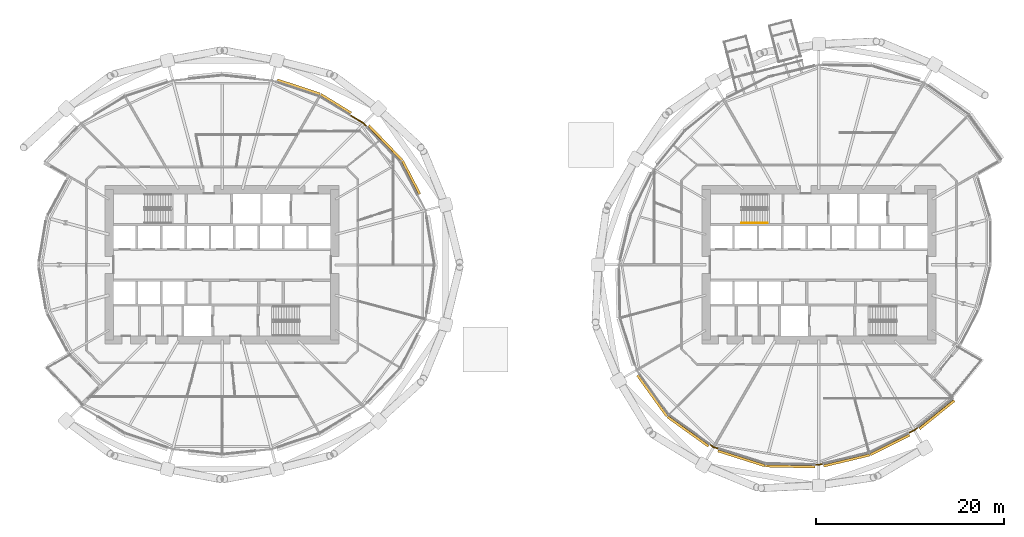
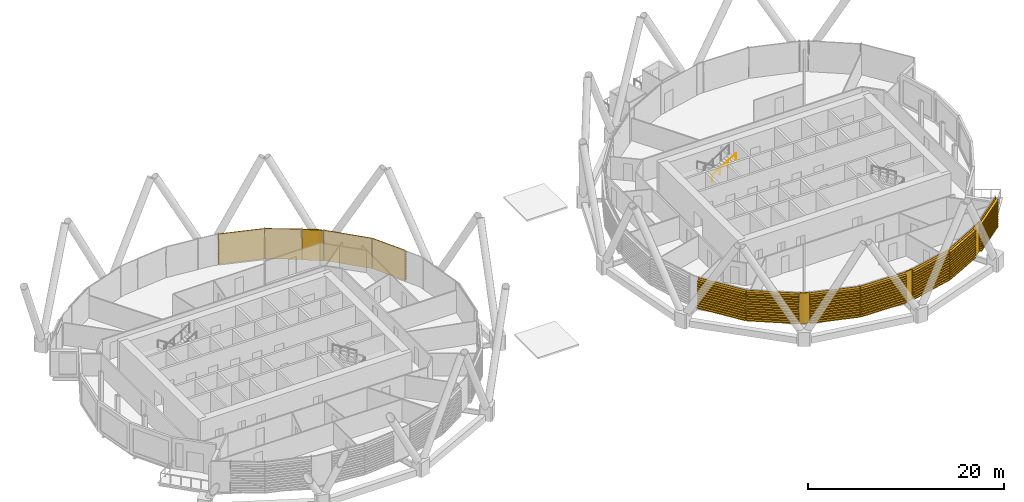
# One storey, part 32 of 34: 15 coverings, 1 railing.
"""IFC4 building model written with IfcOpenShell, lengths in metres."""

from ifc_helpers import new_model, si_unit, direction, frame, origin, origin_2d, place, context, subcontext, project, spatial, polyline, circle, outline, extrude, material, layer, layer_set, material_profile, profile_set, type_object, element, save


model = new_model("IFC4")

# Units and contexts
model_context = context("Model", 3, precision=1e-05, world=origin(), true_north=direction((0.0, 1.0)))
body_context = subcontext(model_context, "Body", "Model", "MODEL_VIEW")
ifc_project = project(units=[si_unit("LENGTHUNIT", "METRE"), si_unit("AREAUNIT", "SQUARE_METRE"), si_unit("VOLUMEUNIT", "CUBIC_METRE"), si_unit("PLANEANGLEUNIT", "RADIAN"), si_unit("MASSUNIT", "GRAM", prefix="KILO")], contexts=[model_context])

# Site, building, storey
site_placement = place(None, origin())
site = spatial("IfcSite", under=ifc_project, at=site_placement, CompositionType="ELEMENT")
building_placement = place(site_placement, origin())
building = spatial("IfcBuilding", under=site, at=building_placement, Name="Rimbun Link Towers", CompositionType="ELEMENT")
storey_placement = place(building_placement, frame((0.0, 0.0, 41.39990234375)))
storey = spatial("IfcBuildingStorey", under=building, at=storey_placement, Name="L09", CompositionType="ELEMENT", Elevation=41.39990234375)

# Coverings
ifc_material_1 = material(Name="Terracotta", Category="masonry")
ifc_layer = layer(ifc_material_1, 0.1201171875)
ifc_layer_set = layer_set([ifc_layer], Name="LINK PIER terracotta cladding 120")
covering_type_1 = type_object("IfcCoveringType", Name="LINK PIER terracotta cladding 120", PredefinedType="CLADDING", material=ifc_layer_set)
covering_1_placement = place(storey_placement, origin())
element("IfcCovering", 1, at=covering_1_placement, inside=storey, type_object=covering_type_1, Name="LINK PIER cladding", PredefinedType="CLADDING", context=body_context, shape_type="SweptSolid", body=[
    extrude(outline(polyline([(-18.159912109375, 15.886962890625), (-16.73681640625, 15.01318359375), (-16.376953125, 14.637939453125), (-16.290283203125, 14.720947265625), (-16.660888671875, 15.107421875), (-18.09716796875, 15.9892578125), (-18.159912109375, 15.886962890625)])), origin(), (0.0, 0.0, 1.0), 3.800048828125),
])
covering_2_placement = place(storey_placement, origin())
element("IfcCovering", 2, at=covering_2_placement, inside=storey, type_object=covering_type_1, Name="LINK PIER cladding", PredefinedType="CLADDING", context=body_context, shape_type="SweptSolid", body=[
    extrude(outline(polyline([(21.0693359375, -19.51513671875), (20.573974609375, -19.357421875), (20.192138671875, -19.08349609375), (20.1220703125, -19.180908203125), (20.519287109375, -19.466064453125), (21.032958984375, -19.62939453125), (21.0693359375, -19.51513671875)])), origin(), (0.0, 0.0, 1.0), 3.800048828125),
])
covering_3_placement = place(storey_placement, origin())
element("IfcCovering", 3, at=covering_3_placement, inside=storey, type_object=covering_type_1, Name="LINK PIER cladding", PredefinedType="CLADDING", context=body_context, shape_type="SweptSolid", body=[
    extrude(outline(polyline([(32.158447265625, -21.13427734375), (31.75, -21.23193359375), (31.380126953125, -21.22412109375), (31.37744140625, -21.343994140625), (31.762939453125, -21.352294921875), (32.186279296875, -21.2509765625), (32.158447265625, -21.13427734375)])), origin(), (0.0, 0.0, 1.0), 3.800048828125),
])
covering_4_placement = place(storey_placement, origin())
element("IfcCovering", 4, at=covering_4_placement, inside=storey, type_object=covering_type_1, Name="LINK PIER cladding", PredefinedType="CLADDING", context=body_context, shape_type="SweptSolid", body=[
    extrude(outline(polyline([(42.247802734375, -17.254150390625), (41.88232421875, -17.5498046875), (41.28369140625, -17.8505859375), (41.33740234375, -17.957763671875), (41.94775390625, -17.651123046875), (42.3232421875, -17.347412109375), (42.247802734375, -17.254150390625)])), origin(), (0.0, 0.0, 1.0), 3.800048828125),
])

# Railing
ifc_material_2 = material(Name="Stainless steel grade 316", Category="steel")
railing_type = type_object("IfcRailingType", Name="Stair handrail", PredefinedType="HANDRAIL", material=ifc_material_2)
railing_placement = place(storey_placement, frame((23.5, 4.449951171875, 2.07275390625)))
element("IfcRailing", 5, at=railing_placement, inside=storey, type_object=railing_type, Name="L09 ST3 stair handrail 2", PredefinedType="HANDRAIL", context=body_context, shape_type="SweptSolid", body=[
    extrude(circle(Radius=0.02392578125, at=origin_2d()), frame((0.0, 0.0, 0.8759765625), z_axis=(0.851089632645, 0.0, 0.525020415988), x_axis=(0.0, 1.0, 0.0)), (0.0, 0.0, 1.0), 3.2900390625),
    extrude(circle(Radius=0.02099609375, at=origin_2d()), origin(), (0.0, 0.0, 1.0), 0.851806640625),
    extrude(circle(Radius=0.02099609375, at=origin_2d()), frame((0.933349609375, 0.0, 0.57568359375)), (0.0, 0.0, 1.0), 0.851806640625),
    extrude(circle(Radius=0.02099609375, at=origin_2d()), frame((1.86669921875, 0.0, 1.151611328125)), (0.0, 0.0, 1.0), 0.851806640625),
    extrude(circle(Radius=0.02099609375, at=origin_2d()), frame((2.800048828125, 0.0, 1.727294921875)), (0.0, 0.0, 1.0), 0.851806640625),
])

# Coverings
ifc_material_3 = material(Name="Terracotta", Category="masonry")
ifc_material_profile = material_profile(ifc_material_3, outline(polyline([(0.123046875, 0.0), (0.1630859375, 0.0), (0.1630859375, 0.10009765625), (0.423095703125, 0.10009765625), (0.423095703125, 0.219970703125), (0.1630859375, 0.219970703125), (0.1630859375, 0.39990234375), (0.423095703125, 0.39990234375), (0.423095703125, 0.52001953125), (0.1630859375, 0.52001953125), (0.1630859375, 0.699951171875), (0.423095703125, 0.699951171875), (0.423095703125, 0.820068359375), (0.1630859375, 0.820068359375), (0.1630859375, 1.0), (0.423095703125, 1.0), (0.423095703125, 1.1201171875), (0.1630859375, 1.1201171875), (0.1630859375, 1.300048828125), (0.423095703125, 1.300048828125), (0.423095703125, 1.419921875), (0.1630859375, 1.419921875), (0.1630859375, 1.60009765625), (0.423095703125, 1.60009765625), (0.423095703125, 1.719970703125), (0.1630859375, 1.719970703125), (0.1630859375, 1.89990234375), (0.423095703125, 1.89990234375), (0.423095703125, 2.02001953125), (0.1630859375, 2.02001953125), (0.1630859375, 2.199951171875), (0.423095703125, 2.199951171875), (0.423095703125, 2.320068359375), (0.1630859375, 2.320068359375), (0.1630859375, 2.5), (0.423095703125, 2.5), (0.423095703125, 2.6201171875), (0.1630859375, 2.6201171875), (0.1630859375, 2.800048828125), (0.423095703125, 2.800048828125), (0.423095703125, 2.919921875), (0.1630859375, 2.919921875), (0.1630859375, 3.10009765625), (0.423095703125, 3.10009765625), (0.423095703125, 3.219970703125), (0.1630859375, 3.219970703125), (0.1630859375, 3.39990234375), (0.423095703125, 3.39990234375), (0.423095703125, 3.52001953125), (0.1630859375, 3.52001953125), (0.1630859375, 3.800048828125), (0.123046875, 3.800048828125), (0.123046875, 0.0)])), Name="BAGUETTE 120X300")
ifc_profile_set = profile_set([ifc_material_profile], Name="Terracotta")
covering_type_2 = type_object("IfcCoveringType", Name="TERRACOTTA BAGUETTE 120X300 H3800", PredefinedType="CLADDING", material=ifc_profile_set)
covering_5_placement = place(storey_placement, frame((-12.82080078125, 10.9287109375, 0.0), z_axis=(0.459502792703, -0.888176324554, 0.0), x_axis=(0.888176324554, 0.459502792703, 0.0)))
element("IfcCovering", 6, at=covering_5_placement, inside=storey, type_object=covering_type_2, Name="TERRACOTTA BAGUETTE", PredefinedType="CLADDING", context=body_context, shape_type="SweptSolid", body=[
    extrude(outline(polyline([(0.123046875, 0.0), (0.1630859375, 0.0), (0.1630859375, 0.10009765625), (0.423095703125, 0.10009765625), (0.423095703125, 0.219970703125), (0.1630859375, 0.219970703125), (0.1630859375, 0.39990234375), (0.423095703125, 0.39990234375), (0.423095703125, 0.52001953125), (0.1630859375, 0.52001953125), (0.1630859375, 0.699951171875), (0.423095703125, 0.699951171875), (0.423095703125, 0.820068359375), (0.1630859375, 0.820068359375), (0.1630859375, 1.0), (0.423095703125, 1.0), (0.423095703125, 1.1201171875), (0.1630859375, 1.1201171875), (0.1630859375, 1.300048828125), (0.423095703125, 1.300048828125), (0.423095703125, 1.419921875), (0.1630859375, 1.419921875), (0.1630859375, 1.60009765625), (0.423095703125, 1.60009765625), (0.423095703125, 1.719970703125), (0.1630859375, 1.719970703125), (0.1630859375, 1.89990234375), (0.423095703125, 1.89990234375), (0.423095703125, 2.02001953125), (0.1630859375, 2.02001953125), (0.1630859375, 2.199951171875), (0.423095703125, 2.199951171875), (0.423095703125, 2.320068359375), (0.1630859375, 2.320068359375), (0.1630859375, 2.5), (0.423095703125, 2.5), (0.423095703125, 2.6201171875), (0.1630859375, 2.6201171875), (0.1630859375, 2.800048828125), (0.423095703125, 2.800048828125), (0.423095703125, 2.919921875), (0.1630859375, 2.919921875), (0.1630859375, 3.10009765625), (0.423095703125, 3.10009765625), (0.423095703125, 3.219970703125), (0.1630859375, 3.219970703125), (0.1630859375, 3.39990234375), (0.423095703125, 3.39990234375), (0.423095703125, 3.52001953125), (0.1630859375, 3.52001953125), (0.1630859375, 3.800048828125), (0.123046875, 3.800048828125), (0.123046875, 0.0)])), origin(), (0.0, 0.0, 1.0), 3.9912109375),
])
covering_6_placement = place(storey_placement, frame((-16.356201171875, 14.6162109375, 0.0), z_axis=(0.692063122266, -0.721836986306, 0.0), x_axis=(0.721836986306, 0.692063122266, 0.0)))
element("IfcCovering", 7, at=covering_6_placement, inside=storey, type_object=covering_type_2, Name="TERRACOTTA BAGUETTE", PredefinedType="CLADDING", context=body_context, shape_type="SweptSolid", body=[
    extrude(outline(polyline([(0.123046875, 0.0), (0.1630859375, 0.0), (0.1630859375, 0.10009765625), (0.423095703125, 0.10009765625), (0.423095703125, 0.219970703125), (0.1630859375, 0.219970703125), (0.1630859375, 0.39990234375), (0.423095703125, 0.39990234375), (0.423095703125, 0.52001953125), (0.1630859375, 0.52001953125), (0.1630859375, 0.699951171875), (0.423095703125, 0.699951171875), (0.423095703125, 0.820068359375), (0.1630859375, 0.820068359375), (0.1630859375, 1.0), (0.423095703125, 1.0), (0.423095703125, 1.1201171875), (0.1630859375, 1.1201171875), (0.1630859375, 1.300048828125), (0.423095703125, 1.300048828125), (0.423095703125, 1.419921875), (0.1630859375, 1.419921875), (0.1630859375, 1.60009765625), (0.423095703125, 1.60009765625), (0.423095703125, 1.719970703125), (0.1630859375, 1.719970703125), (0.1630859375, 1.89990234375), (0.423095703125, 1.89990234375), (0.423095703125, 2.02001953125), (0.1630859375, 2.02001953125), (0.1630859375, 2.199951171875), (0.423095703125, 2.199951171875), (0.423095703125, 2.320068359375), (0.1630859375, 2.320068359375), (0.1630859375, 2.5), (0.423095703125, 2.5), (0.423095703125, 2.6201171875), (0.1630859375, 2.6201171875), (0.1630859375, 2.800048828125), (0.423095703125, 2.800048828125), (0.423095703125, 2.919921875), (0.1630859375, 2.919921875), (0.1630859375, 3.10009765625), (0.423095703125, 3.10009765625), (0.423095703125, 3.219970703125), (0.1630859375, 3.219970703125), (0.1630859375, 3.39990234375), (0.423095703125, 3.39990234375), (0.423095703125, 3.52001953125), (0.1630859375, 3.52001953125), (0.1630859375, 3.800048828125), (0.123046875, 3.800048828125), (0.123046875, 0.0)])), origin(), (0.0, 0.0, 1.0), 5.1083984375),
])
covering_7_placement = place(storey_placement, frame((-21.42138671875, 17.8896484375, 0.0), z_axis=(0.852154627226, -0.523290064206, 0.0), x_axis=(0.523290064206, 0.852154627226, 0.0)))
element("IfcCovering", 8, at=covering_7_placement, inside=storey, type_object=covering_type_2, Name="TERRACOTTA BAGUETTE", PredefinedType="CLADDING", context=body_context, shape_type="SweptSolid", body=[
    extrude(outline(polyline([(0.123046875, 0.0), (0.1630859375, 0.0), (0.1630859375, 0.10009765625), (0.423095703125, 0.10009765625), (0.423095703125, 0.219970703125), (0.1630859375, 0.219970703125), (0.1630859375, 0.39990234375), (0.423095703125, 0.39990234375), (0.423095703125, 0.52001953125), (0.1630859375, 0.52001953125), (0.1630859375, 0.699951171875), (0.423095703125, 0.699951171875), (0.423095703125, 0.820068359375), (0.1630859375, 0.820068359375), (0.1630859375, 1.0), (0.423095703125, 1.0), (0.423095703125, 1.1201171875), (0.1630859375, 1.1201171875), (0.1630859375, 1.300048828125), (0.423095703125, 1.300048828125), (0.423095703125, 1.419921875), (0.1630859375, 1.419921875), (0.1630859375, 1.60009765625), (0.423095703125, 1.60009765625), (0.423095703125, 1.719970703125), (0.1630859375, 1.719970703125), (0.1630859375, 1.89990234375), (0.423095703125, 1.89990234375), (0.423095703125, 2.02001953125), (0.1630859375, 2.02001953125), (0.1630859375, 2.199951171875), (0.423095703125, 2.199951171875), (0.423095703125, 2.320068359375), (0.1630859375, 2.320068359375), (0.1630859375, 2.5), (0.423095703125, 2.5), (0.423095703125, 2.6201171875), (0.1630859375, 2.6201171875), (0.1630859375, 2.800048828125), (0.423095703125, 2.800048828125), (0.423095703125, 2.919921875), (0.1630859375, 2.919921875), (0.1630859375, 3.10009765625), (0.423095703125, 3.10009765625), (0.423095703125, 3.219970703125), (0.1630859375, 3.219970703125), (0.1630859375, 3.39990234375), (0.423095703125, 3.39990234375), (0.423095703125, 3.52001953125), (0.1630859375, 3.52001953125), (0.1630859375, 3.800048828125), (0.123046875, 3.800048828125), (0.123046875, 0.0)])), origin(), (0.0, 0.0, 1.0), 3.79736328125),
])
covering_8_placement = place(storey_placement, frame((-25.98291015625, 19.401123046875, 0.0), z_axis=(0.949245728051, -0.314535447568, 0.0), x_axis=(0.314535447568, 0.949245728051, 0.0)))
element("IfcCovering", 9, at=covering_8_placement, inside=storey, type_object=covering_type_2, Name="TERRACOTTA BAGUETTE", PredefinedType="CLADDING", context=body_context, shape_type="SweptSolid", body=[
    extrude(outline(polyline([(0.123046875, 0.0), (0.1630859375, 0.0), (0.1630859375, 0.10009765625), (0.423095703125, 0.10009765625), (0.423095703125, 0.219970703125), (0.1630859375, 0.219970703125), (0.1630859375, 0.39990234375), (0.423095703125, 0.39990234375), (0.423095703125, 0.52001953125), (0.1630859375, 0.52001953125), (0.1630859375, 0.699951171875), (0.423095703125, 0.699951171875), (0.423095703125, 0.820068359375), (0.1630859375, 0.820068359375), (0.1630859375, 1.0), (0.423095703125, 1.0), (0.423095703125, 1.1201171875), (0.1630859375, 1.1201171875), (0.1630859375, 1.300048828125), (0.423095703125, 1.300048828125), (0.423095703125, 1.419921875), (0.1630859375, 1.419921875), (0.1630859375, 1.60009765625), (0.423095703125, 1.60009765625), (0.423095703125, 1.719970703125), (0.1630859375, 1.719970703125), (0.1630859375, 1.89990234375), (0.423095703125, 1.89990234375), (0.423095703125, 2.02001953125), (0.1630859375, 2.02001953125), (0.1630859375, 2.199951171875), (0.423095703125, 2.199951171875), (0.423095703125, 2.320068359375), (0.1630859375, 2.320068359375), (0.1630859375, 2.5), (0.423095703125, 2.5), (0.423095703125, 2.6201171875), (0.1630859375, 2.6201171875), (0.1630859375, 2.800048828125), (0.423095703125, 2.800048828125), (0.423095703125, 2.919921875), (0.1630859375, 2.919921875), (0.1630859375, 3.10009765625), (0.423095703125, 3.10009765625), (0.423095703125, 3.219970703125), (0.1630859375, 3.219970703125), (0.1630859375, 3.39990234375), (0.423095703125, 3.39990234375), (0.423095703125, 3.52001953125), (0.1630859375, 3.52001953125), (0.1630859375, 3.800048828125), (0.123046875, 3.800048828125), (0.123046875, 0.0)])), origin(), (0.0, 0.0, 1.0), 4.805419921875),
])
for number, where, z_axis, x_axis, name in (
    (10, (15.810546875, -15.939453125, 0.0), (-0.582989547119, 0.812479653868, 0.0), (-0.812479653868, -0.582989547119, 0.0), "TERRACOTTA BAGUETTE"),
    (11, (20.167724609375, -19.06591796875, 0.0), (-0.812479653868, 0.582989547119, 0.0), (-0.582989547119, -0.812479653868, 0.0), "TERRACOTTA BAGUETTE"),
):
    element("IfcCovering", number, at=place(storey_placement, frame(where, z_axis=z_axis, x_axis=x_axis)), inside=storey, type_object=covering_type_2, Name=name, PredefinedType="CLADDING", context=body_context, shape_type="SweptSolid", body=[
        extrude(outline(polyline([(0.123046875, 0.0), (0.1630859375, 0.0), (0.1630859375, 0.10009765625), (0.423095703125, 0.10009765625), (0.423095703125, 0.219970703125), (0.1630859375, 0.219970703125), (0.1630859375, 0.39990234375), (0.423095703125, 0.39990234375), (0.423095703125, 0.52001953125), (0.1630859375, 0.52001953125), (0.1630859375, 0.699951171875), (0.423095703125, 0.699951171875), (0.423095703125, 0.820068359375), (0.1630859375, 0.820068359375), (0.1630859375, 1.0), (0.423095703125, 1.0), (0.423095703125, 1.1201171875), (0.1630859375, 1.1201171875), (0.1630859375, 1.300048828125), (0.423095703125, 1.300048828125), (0.423095703125, 1.419921875), (0.1630859375, 1.419921875), (0.1630859375, 1.60009765625), (0.423095703125, 1.60009765625), (0.423095703125, 1.719970703125), (0.1630859375, 1.719970703125), (0.1630859375, 1.89990234375), (0.423095703125, 1.89990234375), (0.423095703125, 2.02001953125), (0.1630859375, 2.02001953125), (0.1630859375, 2.199951171875), (0.423095703125, 2.199951171875), (0.423095703125, 2.320068359375), (0.1630859375, 2.320068359375), (0.1630859375, 2.5), (0.423095703125, 2.5), (0.423095703125, 2.6201171875), (0.1630859375, 2.6201171875), (0.1630859375, 2.800048828125), (0.423095703125, 2.800048828125), (0.423095703125, 2.919921875), (0.1630859375, 2.919921875), (0.1630859375, 3.10009765625), (0.423095703125, 3.10009765625), (0.423095703125, 3.219970703125), (0.1630859375, 3.219970703125), (0.1630859375, 3.39990234375), (0.423095703125, 3.39990234375), (0.423095703125, 3.52001953125), (0.1630859375, 3.52001953125), (0.1630859375, 3.800048828125), (0.123046875, 3.800048828125), (0.123046875, 0.0)])), origin(), (0.0, 0.0, 1.0), 5.36279296875),
    ])
covering_9_placement = place(storey_placement, frame((26.093017578125, -21.11279296875, 0.0), z_axis=(-0.952961865512, 0.303090222342, 0.0), x_axis=(-0.303090222342, -0.952961865512, 0.0)))
element("IfcCovering", 12, at=covering_9_placement, inside=storey, type_object=covering_type_2, Name="TERRACOTTA BAGUETTE", PredefinedType="CLADDING", context=body_context, shape_type="SweptSolid", body=[
    extrude(outline(polyline([(0.123046875, 0.0), (0.1630859375, 0.0), (0.1630859375, 0.10009765625), (0.423095703125, 0.10009765625), (0.423095703125, 0.219970703125), (0.1630859375, 0.219970703125), (0.1630859375, 0.39990234375), (0.423095703125, 0.39990234375), (0.423095703125, 0.52001953125), (0.1630859375, 0.52001953125), (0.1630859375, 0.699951171875), (0.423095703125, 0.699951171875), (0.423095703125, 0.820068359375), (0.1630859375, 0.820068359375), (0.1630859375, 1.0), (0.423095703125, 1.0), (0.423095703125, 1.1201171875), (0.1630859375, 1.1201171875), (0.1630859375, 1.300048828125), (0.423095703125, 1.300048828125), (0.423095703125, 1.419921875), (0.1630859375, 1.419921875), (0.1630859375, 1.60009765625), (0.423095703125, 1.60009765625), (0.423095703125, 1.719970703125), (0.1630859375, 1.719970703125), (0.1630859375, 1.89990234375), (0.423095703125, 1.89990234375), (0.423095703125, 2.02001953125), (0.1630859375, 2.02001953125), (0.1630859375, 2.199951171875), (0.423095703125, 2.199951171875), (0.423095703125, 2.320068359375), (0.1630859375, 2.320068359375), (0.1630859375, 2.5), (0.423095703125, 2.5), (0.423095703125, 2.6201171875), (0.1630859375, 2.6201171875), (0.1630859375, 2.800048828125), (0.423095703125, 2.800048828125), (0.423095703125, 2.919921875), (0.1630859375, 2.919921875), (0.1630859375, 3.10009765625), (0.423095703125, 3.10009765625), (0.423095703125, 3.219970703125), (0.1630859375, 3.219970703125), (0.1630859375, 3.39990234375), (0.423095703125, 3.39990234375), (0.423095703125, 3.52001953125), (0.1630859375, 3.52001953125), (0.1630859375, 3.800048828125), (0.123046875, 3.800048828125), (0.123046875, 0.0)])), origin(), (0.0, 0.0, 1.0), 5.241455078125),
])
covering_10_placement = place(storey_placement, frame((31.35009765625, -21.223388671875, 0.0), z_axis=(-0.999778785698, 0.021032823569, 0.0), x_axis=(-0.021032823569, -0.999778785698, 0.0)))
element("IfcCovering", 13, at=covering_10_placement, inside=storey, type_object=covering_type_2, Name="TERRACOTTA BAGUETTE", PredefinedType="CLADDING", context=body_context, shape_type="SweptSolid", body=[
    extrude(outline(polyline([(0.123046875, 0.0), (0.1630859375, 0.0), (0.1630859375, 0.10009765625), (0.423095703125, 0.10009765625), (0.423095703125, 0.219970703125), (0.1630859375, 0.219970703125), (0.1630859375, 0.39990234375), (0.423095703125, 0.39990234375), (0.423095703125, 0.52001953125), (0.1630859375, 0.52001953125), (0.1630859375, 0.699951171875), (0.423095703125, 0.699951171875), (0.423095703125, 0.820068359375), (0.1630859375, 0.820068359375), (0.1630859375, 1.0), (0.423095703125, 1.0), (0.423095703125, 1.1201171875), (0.1630859375, 1.1201171875), (0.1630859375, 1.300048828125), (0.423095703125, 1.300048828125), (0.423095703125, 1.419921875), (0.1630859375, 1.419921875), (0.1630859375, 1.60009765625), (0.423095703125, 1.60009765625), (0.423095703125, 1.719970703125), (0.1630859375, 1.719970703125), (0.1630859375, 1.89990234375), (0.423095703125, 1.89990234375), (0.423095703125, 2.02001953125), (0.1630859375, 2.02001953125), (0.1630859375, 2.199951171875), (0.423095703125, 2.199951171875), (0.423095703125, 2.320068359375), (0.1630859375, 2.320068359375), (0.1630859375, 2.5), (0.423095703125, 2.5), (0.423095703125, 2.6201171875), (0.1630859375, 2.6201171875), (0.1630859375, 2.800048828125), (0.423095703125, 2.800048828125), (0.423095703125, 2.919921875), (0.1630859375, 2.919921875), (0.1630859375, 3.10009765625), (0.423095703125, 3.10009765625), (0.423095703125, 3.219970703125), (0.1630859375, 3.219970703125), (0.1630859375, 3.39990234375), (0.423095703125, 3.39990234375), (0.423095703125, 3.52001953125), (0.1630859375, 3.52001953125), (0.1630859375, 3.800048828125), (0.123046875, 3.800048828125), (0.123046875, 0.0)])), origin(), (0.0, 0.0, 1.0), 5.25830078125),
])
covering_11_placement = place(storey_placement, frame((37.096435546875, -19.953125, 0.0), z_axis=(-0.97256747322, -0.232620957859, 0.0), x_axis=(0.232620957859, -0.97256747322, 0.0)))
element("IfcCovering", 14, at=covering_11_placement, inside=storey, type_object=covering_type_2, Name="TERRACOTTA BAGUETTE", PredefinedType="CLADDING", context=body_context, shape_type="SweptSolid", body=[
    extrude(outline(polyline([(0.123046875, 0.0), (0.1630859375, 0.0), (0.1630859375, 0.10009765625), (0.423095703125, 0.10009765625), (0.423095703125, 0.219970703125), (0.1630859375, 0.219970703125), (0.1630859375, 0.39990234375), (0.423095703125, 0.39990234375), (0.423095703125, 0.52001953125), (0.1630859375, 0.52001953125), (0.1630859375, 0.699951171875), (0.423095703125, 0.699951171875), (0.423095703125, 0.820068359375), (0.1630859375, 0.820068359375), (0.1630859375, 1.0), (0.423095703125, 1.0), (0.423095703125, 1.1201171875), (0.1630859375, 1.1201171875), (0.1630859375, 1.300048828125), (0.423095703125, 1.300048828125), (0.423095703125, 1.419921875), (0.1630859375, 1.419921875), (0.1630859375, 1.60009765625), (0.423095703125, 1.60009765625), (0.423095703125, 1.719970703125), (0.1630859375, 1.719970703125), (0.1630859375, 1.89990234375), (0.423095703125, 1.89990234375), (0.423095703125, 2.02001953125), (0.1630859375, 2.02001953125), (0.1630859375, 2.199951171875), (0.423095703125, 2.199951171875), (0.423095703125, 2.320068359375), (0.1630859375, 2.320068359375), (0.1630859375, 2.5), (0.423095703125, 2.5), (0.423095703125, 2.6201171875), (0.1630859375, 2.6201171875), (0.1630859375, 2.800048828125), (0.423095703125, 2.800048828125), (0.423095703125, 2.919921875), (0.1630859375, 2.919921875), (0.1630859375, 3.10009765625), (0.423095703125, 3.10009765625), (0.423095703125, 3.219970703125), (0.1630859375, 3.219970703125), (0.1630859375, 3.39990234375), (0.423095703125, 3.39990234375), (0.423095703125, 3.52001953125), (0.1630859375, 3.52001953125), (0.1630859375, 3.800048828125), (0.123046875, 3.800048828125), (0.123046875, 0.0)])), origin(), (0.0, 0.0, 1.0), 5.047119140625),
])
covering_12_placement = place(storey_placement, frame((41.2568359375, -17.864013671875, 0.0), z_axis=(-0.893660230306, -0.448744239817, 0.0), x_axis=(0.448744239817, -0.893660230306, 0.0)))
element("IfcCovering", 15, at=covering_12_placement, inside=storey, type_object=covering_type_2, Name="TERRACOTTA BAGUETTE", PredefinedType="CLADDING", context=body_context, shape_type="SweptSolid", body=[
    extrude(outline(polyline([(0.123046875, 0.0), (0.1630859375, 0.0), (0.1630859375, 0.10009765625), (0.423095703125, 0.10009765625), (0.423095703125, 0.219970703125), (0.1630859375, 0.219970703125), (0.1630859375, 0.39990234375), (0.423095703125, 0.39990234375), (0.423095703125, 0.52001953125), (0.1630859375, 0.52001953125), (0.1630859375, 0.699951171875), (0.423095703125, 0.699951171875), (0.423095703125, 0.820068359375), (0.1630859375, 0.820068359375), (0.1630859375, 1.0), (0.423095703125, 1.0), (0.423095703125, 1.1201171875), (0.1630859375, 1.1201171875), (0.1630859375, 1.300048828125), (0.423095703125, 1.300048828125), (0.423095703125, 1.419921875), (0.1630859375, 1.419921875), (0.1630859375, 1.60009765625), (0.423095703125, 1.60009765625), (0.423095703125, 1.719970703125), (0.1630859375, 1.719970703125), (0.1630859375, 1.89990234375), (0.423095703125, 1.89990234375), (0.423095703125, 2.02001953125), (0.1630859375, 2.02001953125), (0.1630859375, 2.199951171875), (0.423095703125, 2.199951171875), (0.423095703125, 2.320068359375), (0.1630859375, 2.320068359375), (0.1630859375, 2.5), (0.423095703125, 2.5), (0.423095703125, 2.6201171875), (0.1630859375, 2.6201171875), (0.1630859375, 2.800048828125), (0.423095703125, 2.800048828125), (0.423095703125, 2.919921875), (0.1630859375, 2.919921875), (0.1630859375, 3.10009765625), (0.423095703125, 3.10009765625), (0.423095703125, 3.219970703125), (0.1630859375, 3.219970703125), (0.1630859375, 3.39990234375), (0.423095703125, 3.39990234375), (0.423095703125, 3.52001953125), (0.1630859375, 3.52001953125), (0.1630859375, 3.800048828125), (0.123046875, 3.800048828125), (0.123046875, 0.0)])), origin(), (0.0, 0.0, 1.0), 4.655517578125),
])
covering_13_placement = place(storey_placement, frame((45.981689453125, -14.231689453125, 0.0), z_axis=(-0.777293697616, -0.629137908289, 0.0), x_axis=(0.629137908289, -0.777293697616, 0.0)))
element("IfcCovering", 16, at=covering_13_placement, inside=storey, type_object=covering_type_2, Name="TERRACOTTA BAGUETTE", PredefinedType="CLADDING", context=body_context, shape_type="SweptSolid", body=[
    extrude(outline(polyline([(0.123046875, 0.0), (0.1630859375, 0.0), (0.1630859375, 0.10009765625), (0.423095703125, 0.10009765625), (0.423095703125, 0.219970703125), (0.1630859375, 0.219970703125), (0.1630859375, 0.39990234375), (0.423095703125, 0.39990234375), (0.423095703125, 0.52001953125), (0.1630859375, 0.52001953125), (0.1630859375, 0.699951171875), (0.423095703125, 0.699951171875), (0.423095703125, 0.820068359375), (0.1630859375, 0.820068359375), (0.1630859375, 1.0), (0.423095703125, 1.0), (0.423095703125, 1.1201171875), (0.1630859375, 1.1201171875), (0.1630859375, 1.300048828125), (0.423095703125, 1.300048828125), (0.423095703125, 1.419921875), (0.1630859375, 1.419921875), (0.1630859375, 1.60009765625), (0.423095703125, 1.60009765625), (0.423095703125, 1.719970703125), (0.1630859375, 1.719970703125), (0.1630859375, 1.89990234375), (0.423095703125, 1.89990234375), (0.423095703125, 2.02001953125), (0.1630859375, 2.02001953125), (0.1630859375, 2.199951171875), (0.423095703125, 2.199951171875), (0.423095703125, 2.320068359375), (0.1630859375, 2.320068359375), (0.1630859375, 2.5), (0.423095703125, 2.5), (0.423095703125, 2.6201171875), (0.1630859375, 2.6201171875), (0.1630859375, 2.800048828125), (0.423095703125, 2.800048828125), (0.423095703125, 2.919921875), (0.1630859375, 2.919921875), (0.1630859375, 3.10009765625), (0.423095703125, 3.10009765625), (0.423095703125, 3.219970703125), (0.1630859375, 3.219970703125), (0.1630859375, 3.39990234375), (0.423095703125, 3.39990234375), (0.423095703125, 3.52001953125), (0.1630859375, 3.52001953125), (0.1630859375, 3.800048828125), (0.123046875, 3.800048828125), (0.123046875, 0.0)])), origin(), (0.0, 0.0, 1.0), 4.77392578125),
])

save(model, "model.ifc")
